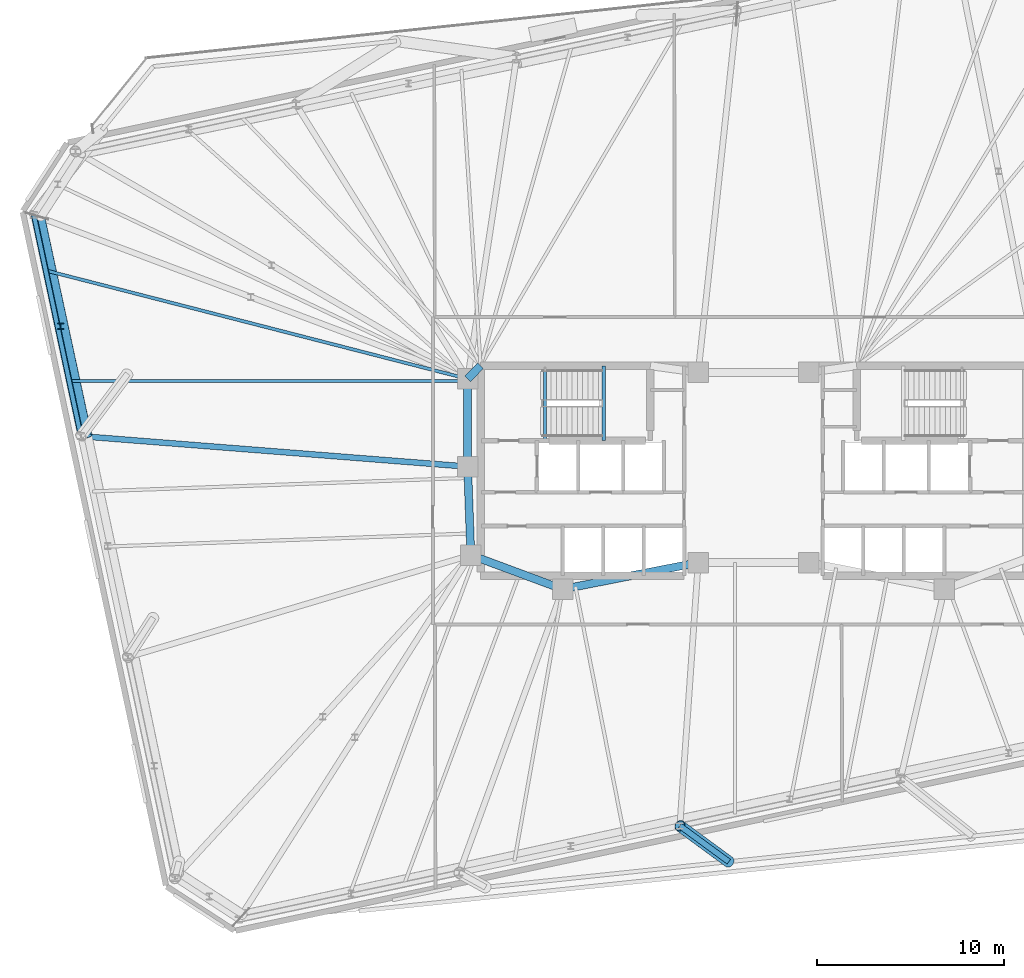
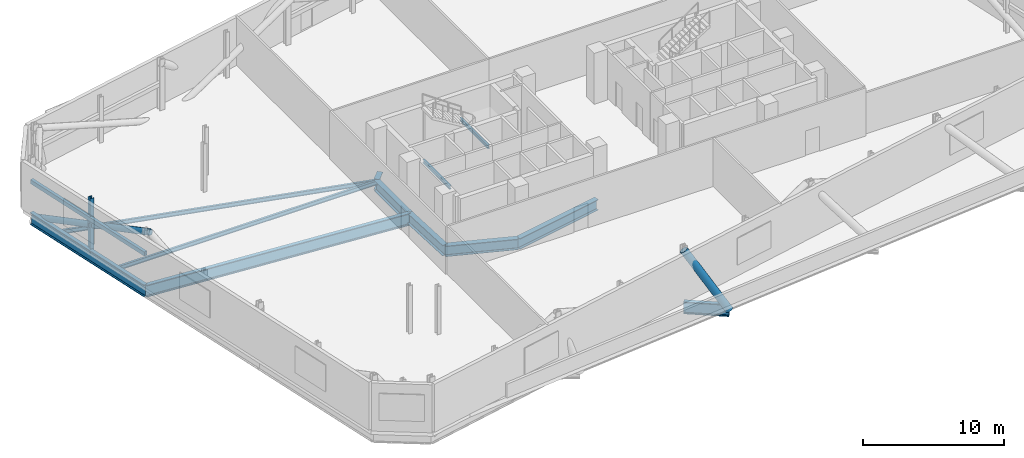
# One storey, part 7 of 19: 12 beams, 4 members.
"""IFC4 building model written with IfcOpenShell, lengths in metres."""

from ifc_helpers import new_model, si_unit, direction, frame, origin, origin_2d, place, context, subcontext, project, spatial, hollow_rectangle, hollow_circle, i_section, extrude, material, material_profile, profile_set, type_object, element, save


model = new_model("IFC4")

# Units and contexts
model_context = context("Model", 3, precision=1e-05, world=origin(), true_north=direction((0.0, 1.0)))
body_context = subcontext(model_context, "Body", "Model", "MODEL_VIEW")
ifc_project = project(units=[si_unit("LENGTHUNIT", "METRE"), si_unit("AREAUNIT", "SQUARE_METRE"), si_unit("VOLUMEUNIT", "CUBIC_METRE"), si_unit("PLANEANGLEUNIT", "RADIAN"), si_unit("MASSUNIT", "GRAM", prefix="KILO")], contexts=[model_context])

# Site, building, storey
site_placement = place(None, origin())
site = spatial("IfcSite", under=ifc_project, at=site_placement, CompositionType="ELEMENT")
building_placement = place(site_placement, origin())
building = spatial("IfcBuilding", under=site, at=building_placement, Name="Menara Jurai Vektor", CompositionType="ELEMENT")
storey_placement = place(building_placement, frame((0.0, 0.0, 142.89990234375)))
storey = spatial("IfcBuildingStorey", under=building, at=storey_placement, Name="L36", CompositionType="ELEMENT", Elevation=142.89990234375)

# Beams
ifc_material_1 = material(Name="Steel S460", Category="steel")
ifc_material_profile_1 = material_profile(ifc_material_1, i_section(OverallWidth=0.30908203125, OverallDepth=1.035888671875, WebThickness=0.030029296875, FlangeThickness=0.053955078125, FilletRadius=0.030029296875, at=origin_2d()), Name="UKB 1016x305x487")
ifc_profile_set_1 = profile_set([ifc_material_profile_1], Name="Steel S460")
beam_type_1 = type_object("IfcBeamType", Name="STR-BM-TR1016", PredefinedType="BEAM", material=ifc_profile_set_1)
beam_1_placement = place(storey_placement, frame((-1.31689453125, -20.85791015625, -0.9228515625), z_axis=(-0.806421772553, 0.591340785632, 0.0), x_axis=(-0.591340785632, -0.806421772553, 0.0)))
element("IfcBeam", 1, at=beam_1_placement, inside=storey, type_object=beam_type_1, Name="Cantilever Transfer Girder L36-S3", PredefinedType="BEAM", context=body_context, shape_type="SweptSolid", body=[
    extrude(i_section(OverallWidth=0.30908203125, OverallDepth=1.035888671875, WebThickness=0.030029296875, FlangeThickness=0.053955078125, FilletRadius=0.030029296875, at=origin_2d()), origin(), (0.0, 0.0, 1.0), 3.238525390625),
])
beam_2_placement = place(storey_placement, frame((-38.388671875, 13.632080078125, -0.9228515625), z_axis=(0.207921262698, -0.978145566119, 0.0), x_axis=(0.978145566119, 0.207921262698, 0.0)))
element("IfcBeam", 2, at=beam_2_placement, inside=storey, type_object=beam_type_1, Name="Belt Truss Bottom Chord L36-17", PredefinedType="BEAM", context=body_context, shape_type="SweptSolid", body=[
    extrude(i_section(OverallWidth=0.30908203125, OverallDepth=1.035888671875, WebThickness=0.030029296875, FlangeThickness=0.053955078125, FilletRadius=0.030029296875, at=origin_2d()), origin(), (0.0, 0.0, 1.0), 12.052001953125),
])
beam_3_placement = place(storey_placement, frame((-35.8828125, 1.843505859375, -0.9228515625), z_axis=(0.996918476483, -0.078444574364, 0.0), x_axis=(0.078444574364, 0.996918476483, 0.0)))
element("IfcBeam", 3, at=beam_3_placement, inside=storey, type_object=beam_type_1, Name="Outrigger Transfer Girder L36-W2", PredefinedType="BEAM", context=body_context, shape_type="SweptSolid", body=[
    extrude(i_section(OverallWidth=0.30908203125, OverallDepth=1.035888671875, WebThickness=0.030029296875, FlangeThickness=0.053955078125, FilletRadius=0.030029296875, at=origin_2d()), origin(), (0.0, 0.0, 1.0), 20.696533203125),
])
ifc_material_profile_2 = material_profile(ifc_material_1, i_section(OverallWidth=0.4208984375, OverallDepth=0.9208984375, WebThickness=0.02099609375, FlangeThickness=0.037109375, FilletRadius=0.02392578125, at=origin_2d()), Name="UKB 914x419x388")
ifc_profile_set_2 = profile_set([ifc_material_profile_2], Name="Steel S460")
beam_type_2 = type_object("IfcBeamType", Name="STR-BM-TR914", PredefinedType="BEAM", material=ifc_profile_set_2)
beam_4_placement = place(storey_placement, frame((-15.25, 4.89990234375, -0.865478515625), z_axis=(0.701871936926, 0.712303154672, 0.0), x_axis=(-0.712303154672, 0.701871936926, 0.0)))
element("IfcBeam", 4, at=beam_4_placement, inside=storey, type_object=beam_type_2, Name="Core Ring Header Girder L36-CHW-N1", PredefinedType="BEAM", context=body_context, shape_type="SweptSolid", body=[
    extrude(i_section(OverallWidth=0.4208984375, OverallDepth=0.9208984375, WebThickness=0.02099609375, FlangeThickness=0.037109375, FilletRadius=0.02392578125, at=origin_2d()), origin(), (0.0, 0.0, 1.0), 0.98291015625),
])
beam_5_placement = place(storey_placement, frame((-15.25, 0.219970703125, -0.865478515625), z_axis=(0.0, 1.0, 0.0), x_axis=(-1.0, 0.0, 0.0)))
element("IfcBeam", 5, at=beam_5_placement, inside=storey, type_object=beam_type_2, Name="Core Ring Header Girder L36-CHW-W1", PredefinedType="BEAM", context=body_context, shape_type="SweptSolid", body=[
    extrude(i_section(OverallWidth=0.4208984375, OverallDepth=0.9208984375, WebThickness=0.02099609375, FlangeThickness=0.037109375, FilletRadius=0.02392578125, at=origin_2d()), origin(), (0.0, 0.0, 1.0), 4.679931640625),
])
beam_6_placement = place(storey_placement, frame((-15.080078125, -4.5, -0.865478515625), z_axis=(-0.035977314146, 0.999352606874, 0.0), x_axis=(-0.999352606874, -0.035977314146, 0.0)))
element("IfcBeam", 6, at=beam_6_placement, inside=storey, type_object=beam_type_2, Name="Core Ring Header Girder L36-CHW-W2", PredefinedType="BEAM", context=body_context, shape_type="SweptSolid", body=[
    extrude(i_section(OverallWidth=0.4208984375, OverallDepth=0.9208984375, WebThickness=0.02099609375, FlangeThickness=0.037109375, FilletRadius=0.02392578125, at=origin_2d()), origin(), (0.0, 0.0, 1.0), 4.72314453125),
])
beam_7_placement = place(storey_placement, frame((-15.080078125, -4.5, -0.865478515625), z_axis=(0.937424400887, -0.348188874925, 0.0), x_axis=(0.348188874925, 0.937424400887, 0.0)))
element("IfcBeam", 7, at=beam_7_placement, inside=storey, type_object=beam_type_2, Name="Core Ring Header Girder L36-CHW-S1", PredefinedType="BEAM", context=body_context, shape_type="SweptSolid", body=[
    extrude(i_section(OverallWidth=0.4208984375, OverallDepth=0.9208984375, WebThickness=0.02099609375, FlangeThickness=0.037109375, FilletRadius=0.02392578125, at=origin_2d()), origin(), (0.0, 0.0, 1.0), 5.227294921875),
])
beam_8_placement = place(storey_placement, frame((-10.179931640625, -6.320068359375, -0.865478515625), z_axis=(0.981249044334, 0.192744164614, 0.0), x_axis=(-0.192744164614, 0.981249044334, 0.0)))
element("IfcBeam", 8, at=beam_8_placement, inside=storey, type_object=beam_type_2, Name="Core Ring Header Girder L36-CHW-S2", PredefinedType="BEAM", context=body_context, shape_type="SweptSolid", body=[
    extrude(i_section(OverallWidth=0.4208984375, OverallDepth=0.9208984375, WebThickness=0.02099609375, FlangeThickness=0.037109375, FilletRadius=0.02392578125, at=origin_2d()), origin(), (0.0, 0.0, 1.0), 7.3681640625),
])

# Members
ifc_material_profile_3 = material_profile(ifc_material_1, hollow_circle(Radius=0.25390625, WallThickness=0.02001953125, at=origin_2d()), Name="CHS 508x20")
ifc_profile_set_3 = profile_set([ifc_material_profile_3], Name="Steel S460")
member_type_1 = type_object("IfcMemberType", Name="STR-BR-508", PredefinedType="BRACE", material=ifc_profile_set_3)
member_1_placement = place(storey_placement, frame((-38.06298828125, 13.5341796875, -0.9228515625), z_axis=(0.195033157966, -0.904026491269, 0.380392127124), x_axis=(0.977510557276, 0.210886487035, 0.0)))
element("IfcMember", 9, at=member_1_placement, inside=storey, type_object=member_type_1, Name="Belt Truss Web Diagonal L36-17", PredefinedType="BRACE", context=body_context, shape_type="SweptSolid", body=[
    extrude(hollow_circle(Radius=0.25390625, WallThickness=0.02001953125, at=origin_2d()), origin(), (0.0, 0.0, 1.0), 12.9208984375),
])
ifc_material_profile_4 = material_profile(ifc_material_1, hollow_rectangle(XDim=0.25, YDim=0.35009765625, WallThickness=0.012451171875, at=origin_2d()), Name="RHS 350x250x12.5")
ifc_profile_set_4 = profile_set([ifc_material_profile_4], Name="Steel S460")
member_type_2 = type_object("IfcMemberType", Name="STR-CH-RHS350", PredefinedType="CHORD", material=ifc_profile_set_4)
member_2_placement = place(storey_placement, frame((-38.388671875, 13.632080078125, 2.255126953125), z_axis=(0.207921262698, -0.978145566119, 0.0), x_axis=(0.978145566119, 0.207921262698, 0.0)))
element("IfcMember", 10, at=member_2_placement, inside=storey, type_object=member_type_2, Name="Belt Truss Mid Chord L36-17", PredefinedType="CHORD", context=body_context, shape_type="SweptSolid", body=[
    extrude(hollow_rectangle(XDim=0.25, YDim=0.35009765625, WallThickness=0.012451171875, at=origin_2d()), origin(), (0.0, 0.0, 1.0), 12.052001953125),
])

# Beams
ifc_material_2 = material(Name="Steel S355", Category="steel")
ifc_material_profile_5 = material_profile(ifc_material_2, i_section(OverallWidth=0.172119140625, OverallDepth=0.35498046875, WebThickness=0.007080078125, FlangeThickness=0.011962890625, FilletRadius=0.010009765625, at=origin_2d()), Name="UKB 356x171x51")
ifc_profile_set_5 = profile_set([ifc_material_profile_5], Name="Steel S355")
beam_type_3 = type_object("IfcBeamType", Name="STR-JS-356", PredefinedType="JOIST", material=ifc_profile_set_5)
beam_9_placement = place(storey_placement, frame((-37.76220703125, 10.68505859375, -0.58251953125), z_axis=(0.968531283953, -0.248891848005, 0.0), x_axis=(0.248891848005, 0.968531283953, 0.0)))
element("IfcBeam", 11, at=beam_9_placement, inside=storey, type_object=beam_type_3, Name="Radial Secondary Floor Joist L36-JS29", PredefinedType="JOIST", context=body_context, shape_type="SweptSolid", body=[
    extrude(i_section(OverallWidth=0.172119140625, OverallDepth=0.35498046875, WebThickness=0.007080078125, FlangeThickness=0.011962890625, FilletRadius=0.010009765625, at=origin_2d()), origin(), (0.0, 0.0, 1.0), 23.24365234375),
])
beam_10_placement = place(storey_placement, frame((-36.50927734375, 4.790771484375, -0.58251953125), z_axis=(1.0, 0.0, 0.0), x_axis=(0.0, 1.0, 0.0)))
element("IfcBeam", 12, at=beam_10_placement, inside=storey, type_object=beam_type_3, Name="Radial Secondary Floor Joist L36-JS30", PredefinedType="JOIST", context=body_context, shape_type="SweptSolid", body=[
    extrude(i_section(OverallWidth=0.172119140625, OverallDepth=0.35498046875, WebThickness=0.007080078125, FlangeThickness=0.011962890625, FilletRadius=0.010009765625, at=origin_2d()), origin(), (0.0, 0.0, 1.0), 21.25927734375),
])
ifc_material_profile_6 = material_profile(ifc_material_2, i_section(OverallWidth=0.1650390625, OverallDepth=0.302978515625, WebThickness=0.006103515625, FlangeThickness=0.010009765625, FilletRadius=0.009033203125, at=origin_2d()), Name="UKB 305x165x40")
ifc_profile_set_6 = profile_set([ifc_material_profile_6], Name="Steel S355")
beam_type_4 = type_object("IfcBeamType", Name="STR-LN-305", PredefinedType="LINTEL", material=ifc_profile_set_6)
beam_11_placement = place(storey_placement, frame((-11.1201171875, 1.60009765625, -0.556396484375), z_axis=(0.0, 1.0, 0.0), x_axis=(-1.0, 0.0, 0.0)))
element("IfcBeam", 13, at=beam_11_placement, inside=storey, type_object=beam_type_4, Name="Stair Well Floor Trimmer ST1 L36", PredefinedType="LINTEL", context=body_context, shape_type="SweptSolid", body=[
    extrude(i_section(OverallWidth=0.1650390625, OverallDepth=0.302978515625, WebThickness=0.006103515625, FlangeThickness=0.010009765625, FilletRadius=0.009033203125, at=origin_2d()), origin(), (0.0, 0.0, 1.0), 3.81982421875),
])
beam_12_placement = place(storey_placement, frame((-7.989990234375, 1.60009765625, 1.8486328125), z_axis=(0.0, 1.0, 0.0), x_axis=(-1.0, 0.0, 0.0)))
element("IfcBeam", 14, at=beam_12_placement, inside=storey, type_object=beam_type_4, Name="Stair Half-Landing Nosing Trimmer ST1-1 L36", PredefinedType="LINTEL", context=body_context, shape_type="SweptSolid", body=[
    extrude(i_section(OverallWidth=0.1650390625, OverallDepth=0.302978515625, WebThickness=0.006103515625, FlangeThickness=0.010009765625, FilletRadius=0.009033203125, at=origin_2d()), origin(), (0.0, 0.0, 1.0), 4.0),
])

# Members
ifc_material_profile_7 = material_profile(ifc_material_1, i_section(OverallWidth=0.31103515625, OverallDepth=0.326904296875, WebThickness=0.01611328125, FlangeThickness=0.02490234375, FilletRadius=0.014892578125, at=origin_2d()), Name="UKC 305x305x158")
ifc_profile_set_7 = profile_set([ifc_material_profile_7], Name="Steel S460")
member_type_3 = type_object("IfcMemberType", Name="STR-POST-305", PredefinedType="POST", material=ifc_profile_set_7)
member_3_placement = place(storey_placement, frame((-36.95751953125, 7.71240234375, -0.7548828125), z_axis=(0.0, 0.0, 1.0), x_axis=(1.0, 0.0, 0.0)))
element("IfcMember", 15, at=member_3_placement, inside=storey, type_object=member_type_3, Name="Belt Truss Vertical Web Post L36-17", PredefinedType="POST", context=body_context, shape_type="SweptSolid", body=[
    extrude(i_section(OverallWidth=0.31103515625, OverallDepth=0.326904296875, WebThickness=0.01611328125, FlangeThickness=0.02490234375, FilletRadius=0.014892578125, at=origin_2d()), origin(), (0.0, 0.0, 1.0), 4.705078125),
])
ifc_material_profile_8 = material_profile(ifc_material_1, hollow_circle(Radius=0.304931640625, WallThickness=0.02490234375, at=origin_2d()), Name="CHS 610x25")
ifc_profile_set_8 = profile_set([ifc_material_profile_8], Name="Steel S460")
member_type_4 = type_object("IfcMemberType", Name="STR-ST-610", PredefinedType="STRUT", material=ifc_profile_set_8)
member_4_placement = place(storey_placement, frame((-1.317138671875, -20.857666015625, -0.9228515625), z_axis=(-0.443662965896, 0.325322423478, 0.835061969841), x_axis=(-0.59132770849, -0.806431361724, 0.0)))
element("IfcMember", 16, at=member_4_placement, inside=storey, type_object=member_type_4, Name="Transfer Outrigger Strut L36-S3", PredefinedType="STRUT", context=body_context, shape_type="SweptSolid", body=[
    extrude(hollow_circle(Radius=0.304931640625, WallThickness=0.02490234375, at=origin_2d()), origin(), (0.0, 0.0, 1.0), 5.8857421875),
])

save(model, "model.ifc")
